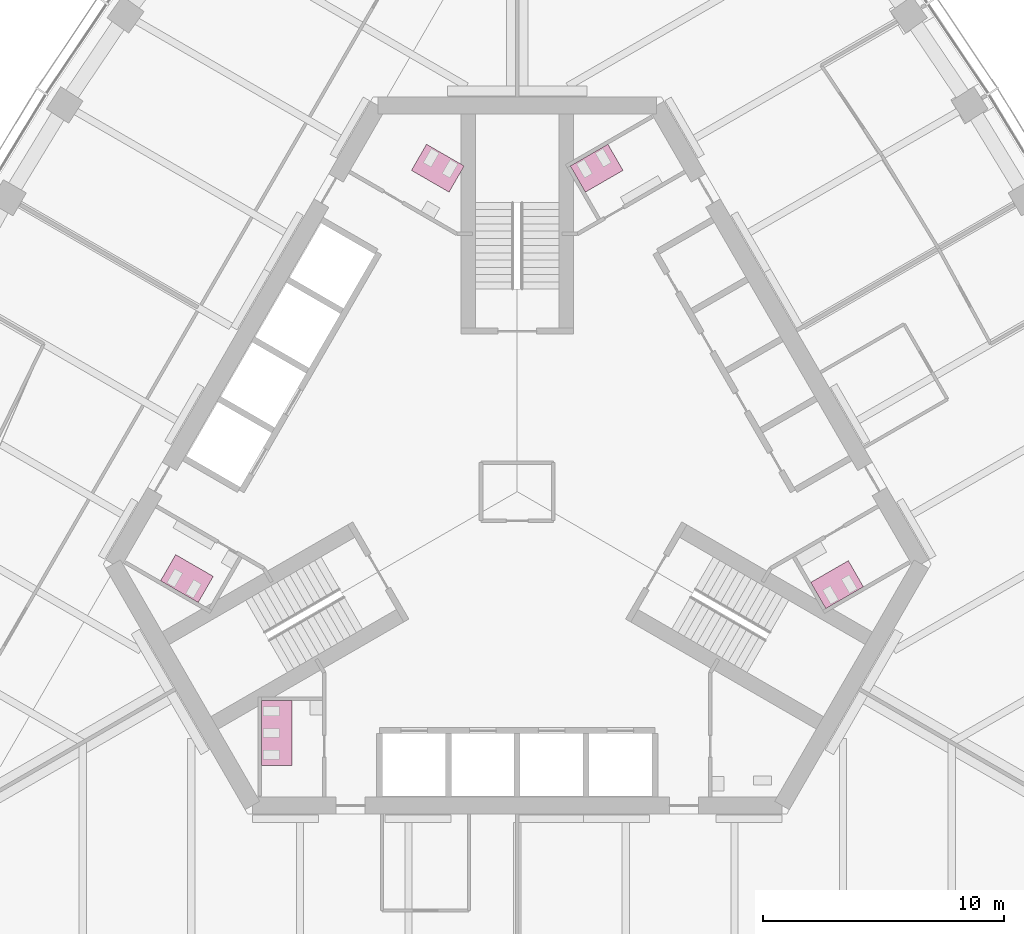
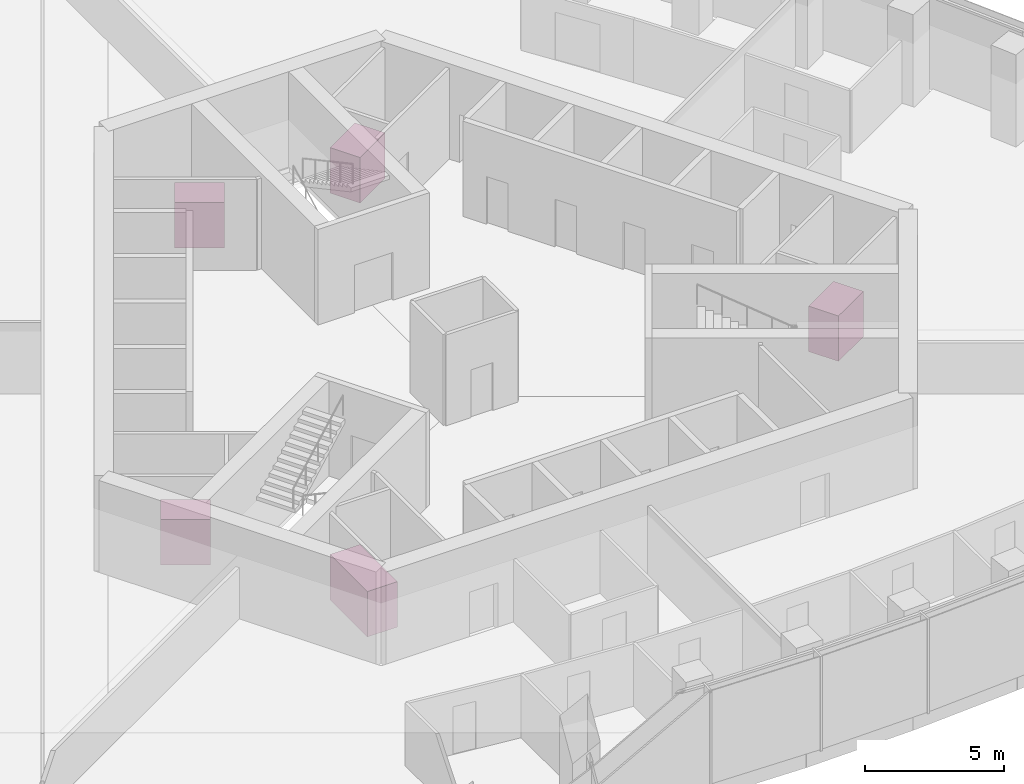
# One storey, part 19 of 19: 5 furniture elements.
"""IFC4 building model written with IfcOpenShell, lengths in metres."""

from ifc_helpers import new_model, si_unit, direction, frame, origin, place, context, subcontext, project, spatial, polyline, outline, extrude, material, type_object, element, save


model = new_model("IFC4")

# Units and contexts
model_context = context("Model", 3, precision=1e-05, world=origin(), true_north=direction((0.0, 1.0)))
body_context = subcontext(model_context, "Body", "Model", "MODEL_VIEW")
ifc_project = project(units=[si_unit("LENGTHUNIT", "METRE"), si_unit("AREAUNIT", "SQUARE_METRE"), si_unit("VOLUMEUNIT", "CUBIC_METRE"), si_unit("PLANEANGLEUNIT", "RADIAN"), si_unit("MASSUNIT", "GRAM", prefix="KILO")], contexts=[model_context])

# Site, building, storey
site_placement = place(None, origin())
site = spatial("IfcSite", under=ifc_project, at=site_placement, CompositionType="ELEMENT")
building_placement = place(site_placement, origin())
building = spatial("IfcBuilding", under=site, at=building_placement, Name="Trefoil Bronze Tower", CompositionType="ELEMENT")
storey_placement = place(building_placement, frame((0.0, 0.0, 223.300048828125)))
storey = spatial("IfcBuildingStorey", under=building, at=storey_placement, Name="L51", CompositionType="ELEMENT", Elevation=223.300048828125)

# Furniture
ifc_material_1 = material(Name="Compact laminate cubicles", Category="plastic")
furniture_type_1 = type_object("IfcFurnitureType", Name="WC cubicle range 2 cubicles", AssemblyPlace="FACTORY", PredefinedType="USERDEFINED", material=ifc_material_1)
furniture_1_placement = place(storey_placement, origin())
element("IfcFurniture", 1, at=furniture_1_placement, inside=storey, type_object=furniture_type_1, Name="WC cubicle range WC (women) L51", ObjectType="WC cubicle range", PredefinedType="USERDEFINED", context=body_context, shape_type="SweptSolid", body=[
    extrude(outline(polyline([(12.15869140625, -3.75927734375), (12.78369140625, -4.841796875), (14.342529296875, -3.94189453125), (13.717529296875, -2.859375), (12.15869140625, -3.75927734375)])), origin(), (0.0, 0.0, 1.0), 2.0),
])
furniture_2_placement = place(storey_placement, origin())
element("IfcFurniture", 2, at=furniture_2_placement, inside=storey, type_object=furniture_type_1, Name="WC cubicle range WC (men) L51", ObjectType="WC cubicle range", PredefinedType="USERDEFINED", context=body_context, shape_type="SweptSolid", body=[
    extrude(outline(polyline([(2.82373046875, 12.409423828125), (2.19873046875, 13.491943359375), (3.757568359375, 14.391845703125), (4.382568359375, 13.309326171875), (2.82373046875, 12.409423828125)])), origin(), (0.0, 0.0, 1.0), 2.0),
])
furniture_3_placement = place(storey_placement, origin())
element("IfcFurniture", 3, at=furniture_3_placement, inside=storey, type_object=furniture_type_1, Name="WC cubicle range WC (women) L51", ObjectType="WC cubicle range", PredefinedType="USERDEFINED", context=body_context, shape_type="SweptSolid", body=[
    extrude(outline(polyline([(-2.82373046875, 12.409423828125), (-2.19873046875, 13.491943359375), (-3.757568359375, 14.391845703125), (-4.382568359375, 13.309326171875), (-2.82373046875, 12.409423828125)])), origin(), (0.0, 0.0, 1.0), 2.0),
])
furniture_4_placement = place(storey_placement, origin())
element("IfcFurniture", 4, at=furniture_4_placement, inside=storey, type_object=furniture_type_1, Name="WC cubicle range WC (men) L51", ObjectType="WC cubicle range", PredefinedType="USERDEFINED", context=body_context, shape_type="SweptSolid", body=[
    extrude(outline(polyline([(-12.591552734375, -3.50927734375), (-13.216552734375, -4.591796875), (-14.775390625, -3.69189453125), (-14.150390625, -2.609375), (-12.591552734375, -3.50927734375)])), origin(), (0.0, 0.0, 1.0), 2.0),
])
ifc_material_2 = material(Name="Compact laminate cubicles", Category="plastic")
furniture_type_2 = type_object("IfcFurnitureType", Name="WC cubicle range 3 cubicles", AssemblyPlace="FACTORY", PredefinedType="USERDEFINED", material=ifc_material_2)
furniture_5_placement = place(storey_placement, origin())
element("IfcFurniture", 5, at=furniture_5_placement, inside=storey, type_object=furniture_type_2, Name="WC cubicle range WC (women) L51", ObjectType="WC cubicle range", PredefinedType="USERDEFINED", context=body_context, shape_type="SweptSolid", body=[
    extrude(outline(polyline([(-9.3349609375, -8.64990234375), (-10.5849609375, -8.64990234375), (-10.5849609375, -11.35009765625), (-9.3349609375, -11.35009765625), (-9.3349609375, -8.64990234375)])), origin(), (0.0, 0.0, 1.0), 2.0),
])

save(model, "model.ifc")
